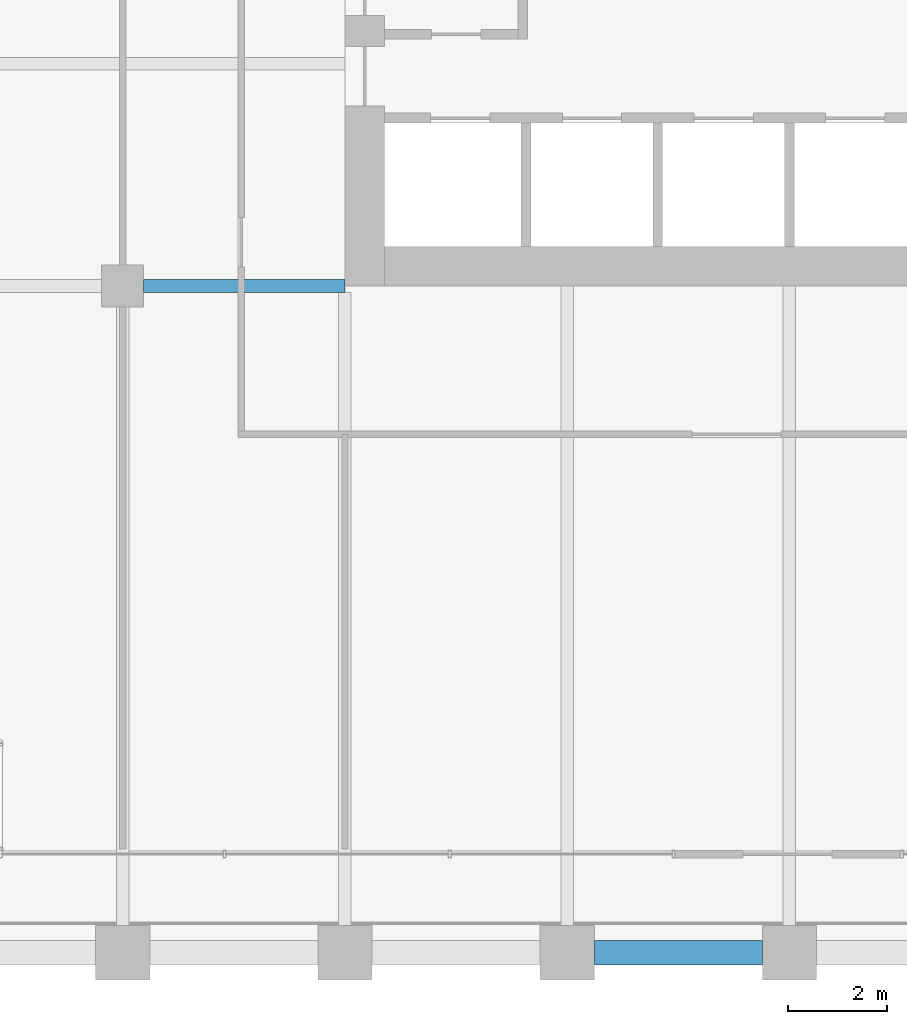
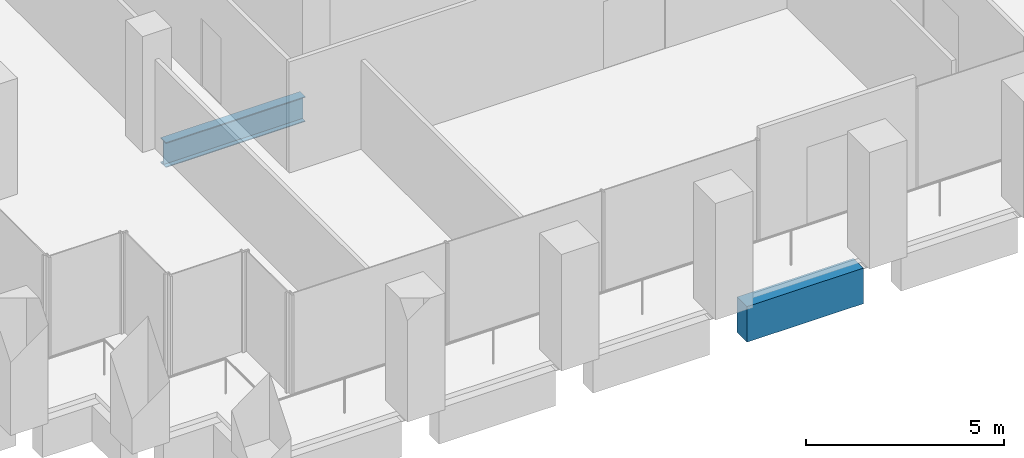
# One storey, part 6 of 54: 2 beams.
"""IFC4 building model written with IfcOpenShell, lengths in metres."""

from ifc_helpers import new_model, si_unit, direction, frame, origin, origin_2d, place, context, subcontext, project, spatial, rectangle, i_section, extrude, material, material_profile, profile_set, type_object, element, save


model = new_model("IFC4")

# Units and contexts
model_context = context("Model", 3, precision=1e-05, world=origin(), true_north=direction((0.0, 1.0)))
body_context = subcontext(model_context, "Body", "Model", "MODEL_VIEW")
ifc_project = project(units=[si_unit("LENGTHUNIT", "METRE"), si_unit("AREAUNIT", "SQUARE_METRE"), si_unit("VOLUMEUNIT", "CUBIC_METRE"), si_unit("PLANEANGLEUNIT", "RADIAN"), si_unit("MASSUNIT", "GRAM", prefix="KILO")], contexts=[model_context])

# Site, building, storey
site_placement = place(None, origin())
site = spatial("IfcSite", under=ifc_project, at=site_placement, CompositionType="ELEMENT")
building_placement = place(site_placement, origin())
building = spatial("IfcBuilding", under=site, at=building_placement, Name="Altepetl Exchange Towers", CompositionType="ELEMENT")
storey_placement = place(building_placement, frame((0.0, 0.0, 58.199951171875)))
storey = spatial("IfcBuildingStorey", under=building, at=storey_placement, Name="L13", CompositionType="ELEMENT", Elevation=58.199951171875)

# Beams
ifc_material_1 = material(Name="Steel S355", Category="steel")
ifc_material_profile_1 = material_profile(ifc_material_1, i_section(OverallWidth=0.26806640625, OverallDepth=0.77392578125, WebThickness=0.015380859375, FlangeThickness=0.025390625, at=origin_2d()), Name="W30X132")
ifc_profile_set_1 = profile_set([ifc_material_profile_1], Name="Steel S355")
beam_type_1 = type_object("IfcBeamType", Name="Girder W30X132", PredefinedType="BEAM", material=ifc_profile_set_1)
beam_1_placement = place(storey_placement, frame((40.5, 40.5, -0.536865234375), z_axis=(-1.0, 0.0, 0.0), x_axis=(0.0, -1.0, 0.0)))
element("IfcBeam", 1, at=beam_1_placement, inside=storey, type_object=beam_type_1, Name="gd:A:L13:009", PredefinedType="BEAM", context=body_context, shape_type="SweptSolid", body=[
    extrude(i_section(OverallWidth=0.26806640625, OverallDepth=0.77392578125, WebThickness=0.015380859375, FlangeThickness=0.025390625, at=origin_2d()), origin(), (0.0, 0.0, 1.0), 4.074951171875),
])
ifc_material_2 = material(Name="Concrete C50/60 precast with cantera blanca facing", Category="concrete")
ifc_material_profile_2 = material_profile(ifc_material_2, rectangle(XDim=0.5, YDim=1.10009765625, at=origin_2d()), Name="500 x 1100")
ifc_profile_set_2 = profile_set([ifc_material_profile_2], Name="Concrete C50/60 precast with cantera blanca facing")
beam_type_2 = type_object("IfcBeamType", Name="Spandrel beam 500x1100 cantera blanca", PredefinedType="SPANDREL", material=ifc_profile_set_2)
beam_2_placement = place(storey_placement, frame((45.550048828125, 27.0, -0.699951171875), z_axis=(1.0, 0.0, 0.0), x_axis=(0.0, 1.0, 0.0)))
element("IfcBeam", 2, at=beam_2_placement, inside=storey, type_object=beam_type_2, Name="sp:A:L13:003", PredefinedType="SPANDREL", context=body_context, shape_type="SweptSolid", body=[
    extrude(rectangle(XDim=0.5, YDim=1.10009765625, at=origin_2d()), origin(), (0.0, 0.0, 1.0), 3.39990234375),
])

save(model, "model.ifc")
